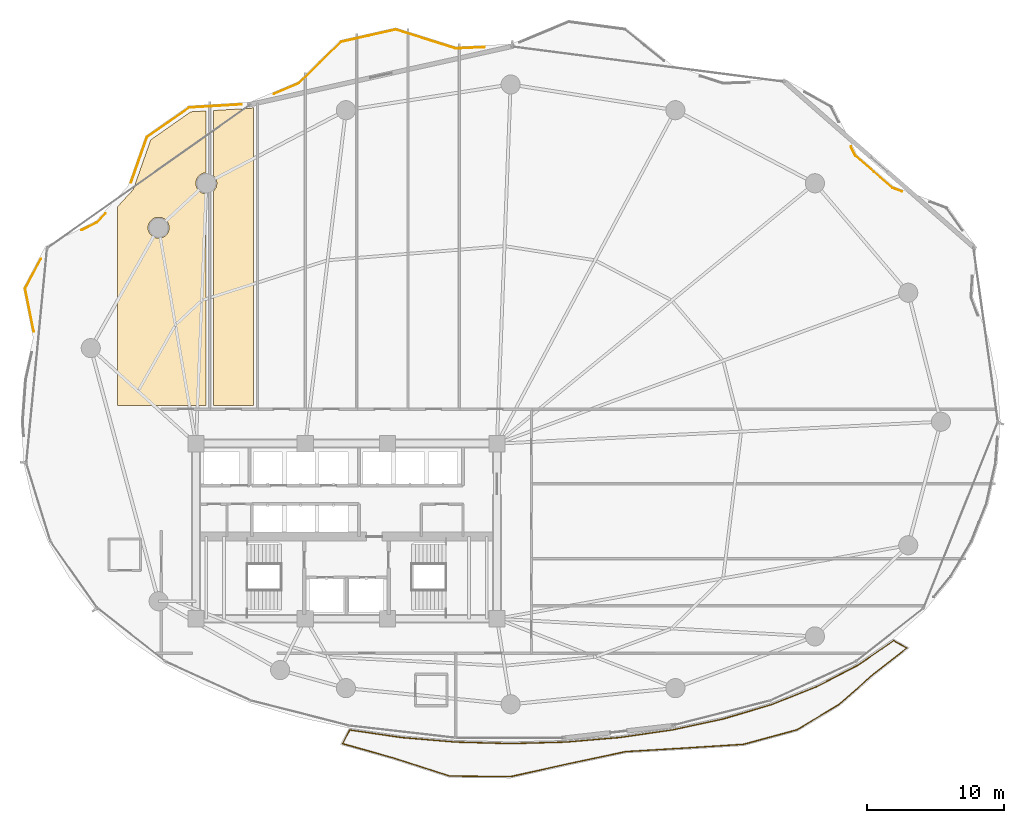
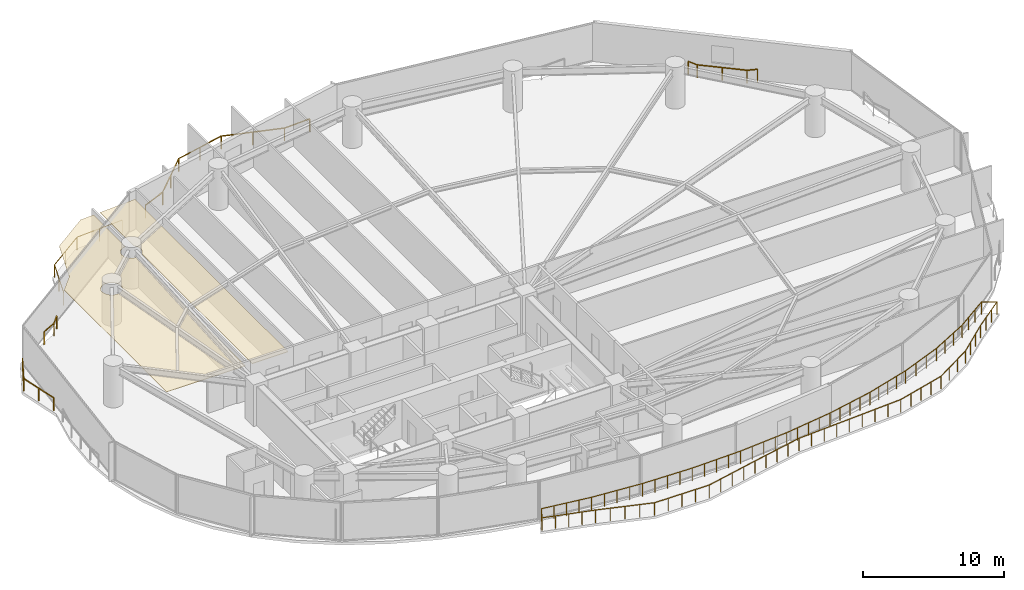
# One storey, part 30 of 31: 6 railings, 2 coverings.
"""IFC4 building model written with IfcOpenShell, lengths in metres."""

from ifc_helpers import new_model, si_unit, direction, frame, origin, origin_2d, place, context, subcontext, project, spatial, polyline, rectangle, outline, extrude, material, layer, layer_set, type_object, element, save


model = new_model("IFC4")

# Units and contexts
model_context = context("Model", 3, precision=1e-05, world=origin(), true_north=direction((0.0, 1.0)))
body_context = subcontext(model_context, "Body", "Model", "MODEL_VIEW")
ifc_project = project(units=[si_unit("LENGTHUNIT", "METRE"), si_unit("AREAUNIT", "SQUARE_METRE"), si_unit("VOLUMEUNIT", "CUBIC_METRE"), si_unit("PLANEANGLEUNIT", "RADIAN"), si_unit("MASSUNIT", "GRAM", prefix="KILO")], contexts=[model_context])

# Site, building, storey
site_placement = place(None, origin())
site = spatial("IfcSite", under=ifc_project, at=site_placement, CompositionType="ELEMENT")
building_placement = place(site_placement, origin())
building = spatial("IfcBuilding", under=site, at=building_placement, Name="Kazevale Care Tower and Concert Hall", CompositionType="ELEMENT")
storey_placement = place(building_placement, frame((0.0, 0.0, 56.39990234375)))
storey = spatial("IfcBuildingStorey", under=building, at=storey_placement, Name="L14", CompositionType="ELEMENT", Elevation=56.39990234375)

# Coverings
ifc_material_1 = material(Name="Acoustic Plaster and Hinoki Wood", Category="wood")
ifc_layer = layer(ifc_material_1, 0.0400390625)
ifc_layer_set = layer_set([ifc_layer], Name="Acoustic Plaster and Hinoki Wood")
covering_type = type_object("IfcCoveringType", Name="Acoustic Perforated Wood-Gypsum Ceiling", PredefinedType="CEILING", material=ifc_layer_set)
covering_1_placement = place(storey_placement, frame((0.0, 0.0, 2.710205078125)))
element("IfcCovering", 1, at=covering_1_placement, inside=storey, type_object=covering_type, Name="clg:L14:1", PredefinedType="CEILING", context=body_context, shape_type="SweptSolid", body=[
    extrude(outline(polyline([(22.719970703125, 60.717041015625), (22.719970703125, 56.2060546875), (22.4619140625, 56.15087890625), (22.2080078125, 55.98193359375), (22.0390625, 55.72802734375), (21.97998046875, 55.429931640625), (22.0390625, 55.132080078125), (22.2080078125, 54.8779296875), (22.4619140625, 54.708984375), (22.719970703125, 54.654052734375), (22.719970703125, 39.205078125), (16.280029296875, 39.205078125), (16.280029296875, 53.735107421875), (17.4130859375, 54.966064453125), (18.69189453125, 58.60302734375), (21.6201171875, 60.652099609375), (22.719970703125, 60.717041015625)]), holes=[polyline([(20.034912109375, 52.33203125), (19.9189453125, 52.613037109375), (19.702880859375, 52.8291015625), (19.422119140625, 52.945068359375), (19.117919921875, 52.945068359375), (18.8369140625, 52.8291015625), (18.62109375, 52.613037109375), (18.5048828125, 52.33203125), (18.5048828125, 52.028076171875), (18.62109375, 51.7470703125), (18.8369140625, 51.531005859375), (19.117919921875, 51.4150390625), (19.422119140625, 51.4150390625), (19.702880859375, 51.531005859375), (19.9189453125, 51.7470703125), (20.034912109375, 52.028076171875), (20.034912109375, 52.33203125)])]), origin(), (0.0, 0.0, 1.0), 0.039794921875),
])
covering_2_placement = place(storey_placement, frame((0.0, 0.0, 2.710205078125)))
element("IfcCovering", 2, at=covering_2_placement, inside=storey, type_object=covering_type, Name="clg:L14:2", PredefinedType="CEILING", context=body_context, shape_type="SweptSolid", body=[
    extrude(outline(polyline([(23.280029296875, 54.85302734375), (23.48095703125, 55.132080078125), (23.5400390625, 55.429931640625), (23.48095703125, 55.72802734375), (23.280029296875, 56.007080078125), (23.280029296875, 60.75), (26.06005859375, 60.9150390625), (26.219970703125, 60.98291015625), (26.219970703125, 39.205078125), (23.280029296875, 39.205078125), (23.280029296875, 54.85302734375)])), origin(), (0.0, 0.0, 1.0), 0.039794921875),
])

# Railings
ifc_material_2 = material(Name="Anodised Bronze Aluminium and Laminated Glass", Category="aluminium")
railing_type = type_object("IfcRailingType", Name="Balcony and Terrace Balustrade 1120", PredefinedType="BALUSTRADE", material=ifc_material_2)
railing_1_placement = place(storey_placement, frame((10.15087890625, 44.5859375, 0.0)))
element("IfcRailing", 3, at=railing_1_placement, inside=storey, type_object=railing_type, Name="rail:L14:perim:2", PredefinedType="BALUSTRADE", context=body_context, shape_type="SweptSolid", body=[
    extrude(rectangle(XDim=0.048095703125, YDim=0.048095703125, at=origin_2d()), frame((0.0, 0.0, 1.09619140625), z_axis=(-0.197415517723, 0.980319903584, 0.0), x_axis=(-0.980319903584, -0.197415517723, 0.0)), (0.0, 0.0, 1.0), 3.21533203125),
    extrude(rectangle(XDim=0.048095703125, YDim=0.048095703125, at=origin_2d()), frame((-0.634765625, 3.152099609375, 1.09619140625), z_axis=(0.467294009077, 0.884101978892, 0.0), x_axis=(-0.884101978892, 0.467294009077, 0.0)), (0.0, 0.0, 1.0), 2.45654296875),
    extrude(rectangle(XDim=0.0419921875, YDim=0.0419921875, at=origin_2d()), origin(), (0.0, 0.0, 1.0), 1.072021484375),
    extrude(rectangle(XDim=0.0419921875, YDim=0.0419921875, at=origin_2d()), frame((-0.3173828125, 1.576171875, 0.0)), (0.0, 0.0, 1.0), 1.072021484375),
    extrude(rectangle(XDim=0.0419921875, YDim=0.0419921875, at=origin_2d()), frame((-0.634765625, 3.152099609375, 0.0)), (0.0, 0.0, 1.0), 1.072021484375),
    extrude(rectangle(XDim=0.0419921875, YDim=0.0419921875, at=origin_2d()), frame((-0.060791015625, 4.238037109375, 0.0)), (0.0, 0.0, 1.0), 1.072021484375),
    extrude(rectangle(XDim=0.0419921875, YDim=0.0419921875, at=origin_2d()), frame((0.51318359375, 5.323974609375, 0.0)), (0.0, 0.0, 1.0), 1.072021484375),
])
railing_2_placement = place(storey_placement, frame((13.639892578125, 52.0, 0.0)))
element("IfcRailing", 4, at=railing_2_placement, inside=storey, type_object=railing_type, Name="rail:L14:perim:3", PredefinedType="BALUSTRADE", context=body_context, shape_type="SweptSolid", body=[
    extrude(rectangle(XDim=0.048095703125, YDim=0.048095703125, at=origin_2d()), frame((0.0, 0.0, 1.09619140625), z_axis=(0.892998785329, 0.450059073235, 0.0), x_axis=(-0.450059073235, 0.892998785329, 0.0)), (0.0, 0.0, 1.0), 1.268798828125),
    extrude(rectangle(XDim=0.048095703125, YDim=0.048095703125, at=origin_2d()), frame((1.133056640625, 0.571044921875, 1.09619140625), z_axis=(0.677347108978, 0.735663573898, 0.0), x_axis=(-0.735663573898, 0.677347108978, 0.0)), (0.0, 0.0, 1.0), 0.8916015625),
    extrude(rectangle(XDim=0.0419921875, YDim=0.0419921875, at=origin_2d()), origin(), (0.0, 0.0, 1.0), 1.072021484375),
    extrude(rectangle(XDim=0.0419921875, YDim=0.0419921875, at=origin_2d()), frame((1.133056640625, 0.571044921875, 0.0)), (0.0, 0.0, 1.0), 1.072021484375),
    extrude(rectangle(XDim=0.0419921875, YDim=0.0419921875, at=origin_2d()), frame((1.737060546875, 1.22705078125, 0.0)), (0.0, 0.0, 1.0), 1.072021484375),
])
railing_3_placement = place(storey_placement, frame((17.256103515625, 55.485107421875, 0.0)))
element("IfcRailing", 5, at=railing_3_placement, inside=storey, type_object=railing_type, Name="rail:L14:perim:4", PredefinedType="BALUSTRADE", context=body_context, shape_type="SweptSolid", body=[
    extrude(rectangle(XDim=0.048095703125, YDim=0.048095703125, at=origin_2d()), frame((0.0, 0.0, 1.09619140625), z_axis=(0.331789638428, 0.943353399226, 0.0), x_axis=(-0.943353399226, 0.331789638428, 0.0)), (0.0, 0.0, 1.0), 3.520263671875),
    extrude(rectangle(XDim=0.048095703125, YDim=0.048095703125, at=origin_2d()), frame((1.16796875, 3.32080078125, 1.09619140625), z_axis=(0.819317150276, 0.573340568304, 0.0), x_axis=(-0.573340568304, 0.819317150276, 0.0)), (0.0, 0.0, 1.0), 3.767578125),
    extrude(rectangle(XDim=0.048095703125, YDim=0.048095703125, at=origin_2d()), frame((4.2548828125, 5.48095703125, 1.09619140625), z_axis=(0.998243706138, 0.05924105971, 0.0), x_axis=(-0.05924105971, 0.998243706138, 0.0)), (0.0, 0.0, 1.0), 3.832763671875),
    extrude(rectangle(XDim=0.0419921875, YDim=0.0419921875, at=origin_2d()), origin(), (0.0, 0.0, 1.0), 1.072021484375),
    extrude(rectangle(XDim=0.0419921875, YDim=0.0419921875, at=origin_2d()), frame((0.583984375, 1.660400390625, 0.0)), (0.0, 0.0, 1.0), 1.072021484375),
    extrude(rectangle(XDim=0.0419921875, YDim=0.0419921875, at=origin_2d()), frame((1.16796875, 3.32080078125, 0.0)), (0.0, 0.0, 1.0), 1.072021484375),
    extrude(rectangle(XDim=0.0419921875, YDim=0.0419921875, at=origin_2d()), frame((2.71142578125, 4.40087890625, 0.0)), (0.0, 0.0, 1.0), 1.072021484375),
    extrude(rectangle(XDim=0.0419921875, YDim=0.0419921875, at=origin_2d()), frame((4.2548828125, 5.48095703125, 0.0)), (0.0, 0.0, 1.0), 1.072021484375),
    extrude(rectangle(XDim=0.0419921875, YDim=0.0419921875, at=origin_2d()), frame((6.16796875, 5.594482421875, 0.0)), (0.0, 0.0, 1.0), 1.072021484375),
    extrude(rectangle(XDim=0.0419921875, YDim=0.0419921875, at=origin_2d()), frame((8.080810546875, 5.7080078125, 0.0)), (0.0, 0.0, 1.0), 1.072021484375),
])
railing_4_placement = place(storey_placement, frame((27.69091796875, 61.9580078125, 0.0)))
element("IfcRailing", 6, at=railing_4_placement, inside=storey, type_object=railing_type, Name="rail:L14:perim:5", PredefinedType="BALUSTRADE", context=body_context, shape_type="SweptSolid", body=[
    extrude(rectangle(XDim=0.048095703125, YDim=0.048095703125, at=origin_2d()), frame((0.0, 0.0, 1.09619140625), z_axis=(0.920032063091, 0.391843084517, 0.0), x_axis=(-0.391843084517, 0.920032063091, 0.0)), (0.0, 0.0, 1.0), 2.01611328125),
    extrude(rectangle(XDim=0.048095703125, YDim=0.048095703125, at=origin_2d()), frame((1.85498046875, 0.7900390625, 1.09619140625), z_axis=(0.711782228396, 0.702400213083, 0.0), x_axis=(-0.702400213083, 0.711782228396, 0.0)), (0.0, 0.0, 1.0), 4.293701171875),
    extrude(rectangle(XDim=0.048095703125, YDim=0.048095703125, at=origin_2d()), frame((4.9111328125, 3.805908203125, 1.09619140625), z_axis=(0.975507116128, 0.219967875798, 0.0), x_axis=(-0.219967875798, 0.975507116128, 0.0)), (0.0, 0.0, 1.0), 4.09228515625),
    extrude(rectangle(XDim=0.048095703125, YDim=0.048095703125, at=origin_2d()), frame((8.903076171875, 4.7060546875, 1.09619140625), z_axis=(0.953872379176, -0.300212398553, 0.0), x_axis=(0.300212398553, 0.953872379176, 0.0)), (0.0, 0.0, 1.0), 4.590576171875),
    extrude(rectangle(XDim=0.048095703125, YDim=0.048095703125, at=origin_2d()), frame((13.281982421875, 3.327880859375, 1.09619140625), z_axis=(0.999070924125, 0.043096270926, 0.0), x_axis=(-0.043096270926, 0.999070924125, 0.0)), (0.0, 0.0, 1.0), 2.113037109375),
    extrude(rectangle(XDim=0.0419921875, YDim=0.0419921875, at=origin_2d()), origin(), (0.0, 0.0, 1.0), 1.072021484375),
    extrude(rectangle(XDim=0.0419921875, YDim=0.0419921875, at=origin_2d()), frame((1.85498046875, 0.7900390625, 0.0)), (0.0, 0.0, 1.0), 1.072021484375),
    extrude(rectangle(XDim=0.0419921875, YDim=0.0419921875, at=origin_2d()), frame((3.383056640625, 2.2978515625, 0.0)), (0.0, 0.0, 1.0), 1.072021484375),
    extrude(rectangle(XDim=0.0419921875, YDim=0.0419921875, at=origin_2d()), frame((4.9111328125, 3.805908203125, 0.0)), (0.0, 0.0, 1.0), 1.072021484375),
    extrude(rectangle(XDim=0.0419921875, YDim=0.0419921875, at=origin_2d()), frame((6.9072265625, 4.255859375, 0.0)), (0.0, 0.0, 1.0), 1.072021484375),
    extrude(rectangle(XDim=0.0419921875, YDim=0.0419921875, at=origin_2d()), frame((8.903076171875, 4.7060546875, 0.0)), (0.0, 0.0, 1.0), 1.072021484375),
    extrude(rectangle(XDim=0.0419921875, YDim=0.0419921875, at=origin_2d()), frame((11.092529296875, 4.01708984375, 0.0)), (0.0, 0.0, 1.0), 1.072021484375),
    extrude(rectangle(XDim=0.0419921875, YDim=0.0419921875, at=origin_2d()), frame((13.281982421875, 3.327880859375, 0.0)), (0.0, 0.0, 1.0), 1.072021484375),
    extrude(rectangle(XDim=0.0419921875, YDim=0.0419921875, at=origin_2d()), frame((15.39306640625, 3.4189453125, 0.0)), (0.0, 0.0, 1.0), 1.072021484375),
])
railing_5_placement = place(storey_placement, frame((69.863037109375, 58.112060546875, 0.0)))
element("IfcRailing", 7, at=railing_5_placement, inside=storey, type_object=railing_type, Name="rail:L14:perim:9", PredefinedType="BALUSTRADE", context=body_context, shape_type="SweptSolid", body=[
    extrude(rectangle(XDim=0.048095703125, YDim=0.048095703125, at=origin_2d()), frame((0.0, 0.0, 1.09619140625), z_axis=(0.444393893797, -0.895831494845, 0.0), x_axis=(0.895831494845, 0.444393893797, 0.0)), (0.0, 0.0, 1.0), 0.762451171875),
    extrude(rectangle(XDim=0.048095703125, YDim=0.048095703125, at=origin_2d()), frame((0.3388671875, -0.68310546875, 1.09619140625), z_axis=(0.75707551803, -0.653327375823, 0.0), x_axis=(0.653327375823, 0.75707551803, 0.0)), (0.0, 0.0, 1.0), 3.586181640625),
    extrude(rectangle(XDim=0.048095703125, YDim=0.048095703125, at=origin_2d()), frame((3.053955078125, -3.026123046875, 1.09619140625), z_axis=(0.936649557244, -0.350267907344, 0.0), x_axis=(0.350267907344, 0.936649557244, 0.0)), (0.0, 0.0, 1.0), 0.750732421875),
    extrude(rectangle(XDim=0.0419921875, YDim=0.0419921875, at=origin_2d()), origin(), (0.0, 0.0, 1.0), 1.072021484375),
    extrude(rectangle(XDim=0.0419921875, YDim=0.0419921875, at=origin_2d()), frame((0.3388671875, -0.68310546875, 0.0)), (0.0, 0.0, 1.0), 1.072021484375),
    extrude(rectangle(XDim=0.0419921875, YDim=0.0419921875, at=origin_2d()), frame((1.6962890625, -1.8544921875, 0.0)), (0.0, 0.0, 1.0), 1.072021484375),
    extrude(rectangle(XDim=0.0419921875, YDim=0.0419921875, at=origin_2d()), frame((3.053955078125, -3.026123046875, 0.0)), (0.0, 0.0, 1.0), 1.072021484375),
    extrude(rectangle(XDim=0.0419921875, YDim=0.0419921875, at=origin_2d()), frame((3.757080078125, -3.2890625, 0.0)), (0.0, 0.0, 1.0), 1.072021484375),
])
railing_6_placement = place(storey_placement, frame((33.239990234375, 15.469970703125, 0.0)))
element("IfcRailing", 8, at=railing_6_placement, inside=storey, type_object=railing_type, Name="rail:L14:balcony", PredefinedType="BALUSTRADE", context=body_context, shape_type="SweptSolid", body=[
    extrude(rectangle(XDim=0.048095703125, YDim=0.048095703125, at=origin_2d()), frame((0.0, 0.0, 1.09619140625), z_axis=(0.98954153526, -0.144248223541, 0.0), x_axis=(0.144248223541, 0.98954153526, 0.0)), (0.0, 0.0, 1.0), 3.820068359375),
    extrude(rectangle(XDim=0.048095703125, YDim=0.048095703125, at=origin_2d()), frame((3.780029296875, -0.551025390625, 1.09619140625), z_axis=(0.996491809711, -0.083690341016, 0.0), x_axis=(0.083690341016, 0.996491809711, 0.0)), (0.0, 0.0, 1.0), 3.97900390625),
    extrude(rectangle(XDim=0.048095703125, YDim=0.048095703125, at=origin_2d()), frame((7.7451171875, -0.884033203125, 1.09619140625), z_axis=(0.999619139625, -0.027596660954, 0.0), x_axis=(0.027596660954, 0.999619139625, 0.0)), (0.0, 0.0, 1.0), 4.016357421875),
    extrude(rectangle(XDim=0.048095703125, YDim=0.048095703125, at=origin_2d()), frame((11.760009765625, -0.994873046875, 1.09619140625), z_axis=(0.999619139625, 0.027596660954, 0.0), x_axis=(-0.027596660954, 0.999619139625, 0.0)), (0.0, 0.0, 1.0), 4.016357421875),
    extrude(rectangle(XDim=0.048095703125, YDim=0.048095703125, at=origin_2d()), frame((15.77490234375, -0.884033203125, 1.09619140625), z_axis=(0.996491809711, 0.083690341016, 0.0), x_axis=(-0.083690341016, 0.996491809711, 0.0)), (0.0, 0.0, 1.0), 3.97900390625),
    extrude(rectangle(XDim=0.048095703125, YDim=0.048095703125, at=origin_2d()), frame((19.739990234375, -0.551025390625, 1.09619140625), z_axis=(0.989562148583, 0.144106745477, 0.0), x_axis=(-0.144106745477, 0.989562148583, 0.0)), (0.0, 0.0, 1.0), 3.90673828125),
    extrude(rectangle(XDim=0.048095703125, YDim=0.048095703125, at=origin_2d()), frame((23.60595703125, 0.011962890625, 1.09619140625), z_axis=(0.977622623243, 0.210366362622, 0.0), x_axis=(-0.210366362622, 0.977622623243, 0.0)), (0.0, 0.0, 1.0), 3.80322265625),
    extrude(rectangle(XDim=0.048095703125, YDim=0.048095703125, at=origin_2d()), frame((27.323974609375, 0.81201171875, 1.09619140625), z_axis=(0.958576059845, 0.28483668565, 0.0), x_axis=(-0.28483668565, 0.958576059845, 0.0)), (0.0, 0.0, 1.0), 3.67626953125),
    extrude(rectangle(XDim=0.048095703125, YDim=0.048095703125, at=origin_2d()), frame((30.847900390625, 1.859130859375, 1.09619140625), z_axis=(0.929364745906, 0.369162794803, 0.0), x_axis=(-0.369162794803, 0.929364745906, 0.0)), (0.0, 0.0, 1.0), 3.534912109375),
    extrude(rectangle(XDim=0.048095703125, YDim=0.048095703125, at=origin_2d()), frame((34.133056640625, 3.1640625, 1.09619140625), z_axis=(0.886249621896, 0.463207952965, 0.0), x_axis=(-0.463207952965, 0.886249621896, 0.0)), (0.0, 0.0, 1.0), 3.3916015625),
    extrude(rectangle(XDim=0.048095703125, YDim=0.048095703125, at=origin_2d()), frame((37.138916015625, 4.735107421875, 1.09619140625), z_axis=(0.825224295989, 0.564805153402, 0.0), x_axis=(-0.564805153402, 0.825224295989, 0.0)), (0.0, 0.0, 1.0), 3.17626953125),
    extrude(rectangle(XDim=0.048095703125, YDim=0.048095703125, at=origin_2d()), frame((39.760009765625, 6.529052734375, 1.09619140625), z_axis=(0.870159360676, -0.492770420203, 0.0), x_axis=(0.492770420203, 0.870159360676, 0.0)), (0.0, 0.0, 1.0), 1.093994140625),
    extrude(rectangle(XDim=0.048095703125, YDim=0.048095703125, at=origin_2d()), frame((40.7119140625, 5.989990234375, 1.09619140625), z_axis=(-0.785735455987, -0.618562683328, 0.0), x_axis=(0.618562683328, -0.785735455987, 0.0)), (0.0, 0.0, 1.0), 3.126708984375),
    extrude(rectangle(XDim=0.048095703125, YDim=0.048095703125, at=origin_2d()), frame((38.255126953125, 4.055908203125, 1.09619140625), z_axis=(-0.751427777247, -0.65981534961, 0.0), x_axis=(0.65981534961, -0.751427777247, 0.0)), (0.0, 0.0, 1.0), 3.320556640625),
    extrude(rectangle(XDim=0.048095703125, YDim=0.048095703125, at=origin_2d()), frame((35.760009765625, 1.864990234375, 1.09619140625), z_axis=(-0.856766273863, -0.515704907841, 0.0), x_axis=(0.515704907841, -0.856766273863, 0.0)), (0.0, 0.0, 1.0), 3.59130859375),
    extrude(rectangle(XDim=0.048095703125, YDim=0.048095703125, at=origin_2d()), frame((32.68310546875, 0.012939453125, 1.09619140625), z_axis=(-0.965005969674, -0.262227913262, 0.0), x_axis=(0.262227913262, -0.965005969674, 0.0)), (0.0, 0.0, 1.0), 4.04150390625),
    extrude(rectangle(XDim=0.048095703125, YDim=0.048095703125, at=origin_2d()), frame((28.782958984375, -1.046875, 1.09619140625), z_axis=(-0.997983454287, -0.063474600985, 0.0), x_axis=(0.063474600985, -0.997983454287, 0.0)), (0.0, 0.0, 1.0), 4.380859375),
    extrude(rectangle(XDim=0.048095703125, YDim=0.048095703125, at=origin_2d()), frame((24.410888671875, -1.324951171875, 1.09619140625), z_axis=(-0.998168391901, -0.060496788431, 0.0), x_axis=(0.060496788431, -0.998168391901, 0.0)), (0.0, 0.0, 1.0), 4.265625),
    extrude(rectangle(XDim=0.048095703125, YDim=0.048095703125, at=origin_2d()), frame((20.153076171875, -1.5830078125, 1.09619140625), z_axis=(-0.978159147113, -0.207857361954, 0.0), x_axis=(0.207857361954, -0.978159147113, 0.0)), (0.0, 0.0, 1.0), 4.189697265625),
    extrude(rectangle(XDim=0.048095703125, YDim=0.048095703125, at=origin_2d()), frame((16.054931640625, -2.453857421875, 1.09619140625), z_axis=(-0.976246906453, -0.216660973968, 0.0), x_axis=(0.216660973968, -0.976246906453, 0.0)), (0.0, 0.0, 1.0), 4.41259765625),
    extrude(rectangle(XDim=0.048095703125, YDim=0.048095703125, at=origin_2d()), frame((11.7470703125, -3.409912109375, 1.09619140625), z_axis=(-0.999953281583, 0.009666160134, 0.0), x_axis=(-0.009666160134, -0.999953281583, 0.0)), (0.0, 0.0, 1.0), 4.4453125),
    extrude(rectangle(XDim=0.048095703125, YDim=0.048095703125, at=origin_2d()), frame((7.302001953125, -3.366943359375, 1.09619140625), z_axis=(-0.951876057109, 0.306483232661, 0.0), x_axis=(-0.306483232661, -0.951876057109, 0.0)), (0.0, 0.0, 1.0), 4.283935546875),
    extrude(rectangle(XDim=0.048095703125, YDim=0.048095703125, at=origin_2d()), frame((3.22412109375, -2.053955078125, 1.09619140625), z_axis=(-0.962592237847, 0.270954209482, 0.0), x_axis=(-0.270954209482, -0.962592237847, 0.0)), (0.0, 0.0, 1.0), 3.89697265625),
    extrude(rectangle(XDim=0.048095703125, YDim=0.048095703125, at=origin_2d()), frame((-0.527099609375, -0.998046875, 1.09619140625), z_axis=(0.467002973118, 0.884255745302, 0.0), x_axis=(-0.884255745302, 0.467002973118, 0.0)), (0.0, 0.0, 1.0), 1.128662109375),
    extrude(rectangle(XDim=0.0419921875, YDim=0.0419921875, at=origin_2d()), origin(), (0.0, 0.0, 1.0), 1.072021484375),
    extrude(rectangle(XDim=0.0419921875, YDim=0.0419921875, at=origin_2d()), frame((0.945068359375, -0.1376953125, 0.0)), (0.0, 0.0, 1.0), 1.072021484375),
    extrude(rectangle(XDim=0.0419921875, YDim=0.0419921875, at=origin_2d()), frame((1.89013671875, -0.275390625, 0.0)), (0.0, 0.0, 1.0), 1.072021484375),
    extrude(rectangle(XDim=0.0419921875, YDim=0.0419921875, at=origin_2d()), frame((2.8349609375, -0.413330078125, 0.0)), (0.0, 0.0, 1.0), 1.072021484375),
    extrude(rectangle(XDim=0.0419921875, YDim=0.0419921875, at=origin_2d()), frame((3.780029296875, -0.551025390625, 0.0)), (0.0, 0.0, 1.0), 1.072021484375),
    extrude(rectangle(XDim=0.0419921875, YDim=0.0419921875, at=origin_2d()), frame((4.771240234375, -0.63427734375, 0.0)), (0.0, 0.0, 1.0), 1.072021484375),
    extrude(rectangle(XDim=0.0419921875, YDim=0.0419921875, at=origin_2d()), frame((5.7626953125, -0.717529296875, 0.0)), (0.0, 0.0, 1.0), 1.072021484375),
    extrude(rectangle(XDim=0.0419921875, YDim=0.0419921875, at=origin_2d()), frame((6.75390625, -0.80078125, 0.0)), (0.0, 0.0, 1.0), 1.072021484375),
    extrude(rectangle(XDim=0.0419921875, YDim=0.0419921875, at=origin_2d()), frame((7.7451171875, -0.884033203125, 0.0)), (0.0, 0.0, 1.0), 1.072021484375),
    extrude(rectangle(XDim=0.0419921875, YDim=0.0419921875, at=origin_2d()), frame((8.748779296875, -0.91162109375, 0.0)), (0.0, 0.0, 1.0), 1.072021484375),
    extrude(rectangle(XDim=0.0419921875, YDim=0.0419921875, at=origin_2d()), frame((9.75244140625, -0.939453125, 0.0)), (0.0, 0.0, 1.0), 1.072021484375),
    extrude(rectangle(XDim=0.0419921875, YDim=0.0419921875, at=origin_2d()), frame((10.75634765625, -0.96728515625, 0.0)), (0.0, 0.0, 1.0), 1.072021484375),
    extrude(rectangle(XDim=0.0419921875, YDim=0.0419921875, at=origin_2d()), frame((11.760009765625, -0.994873046875, 0.0)), (0.0, 0.0, 1.0), 1.072021484375),
    extrude(rectangle(XDim=0.0419921875, YDim=0.0419921875, at=origin_2d()), frame((12.763671875, -0.96728515625, 0.0)), (0.0, 0.0, 1.0), 1.072021484375),
    extrude(rectangle(XDim=0.0419921875, YDim=0.0419921875, at=origin_2d()), frame((13.767578125, -0.939453125, 0.0)), (0.0, 0.0, 1.0), 1.072021484375),
    extrude(rectangle(XDim=0.0419921875, YDim=0.0419921875, at=origin_2d()), frame((14.771240234375, -0.91162109375, 0.0)), (0.0, 0.0, 1.0), 1.072021484375),
    extrude(rectangle(XDim=0.0419921875, YDim=0.0419921875, at=origin_2d()), frame((15.77490234375, -0.884033203125, 0.0)), (0.0, 0.0, 1.0), 1.072021484375),
    extrude(rectangle(XDim=0.0419921875, YDim=0.0419921875, at=origin_2d()), frame((16.76611328125, -0.80078125, 0.0)), (0.0, 0.0, 1.0), 1.072021484375),
    extrude(rectangle(XDim=0.0419921875, YDim=0.0419921875, at=origin_2d()), frame((17.75732421875, -0.717529296875, 0.0)), (0.0, 0.0, 1.0), 1.072021484375),
    extrude(rectangle(XDim=0.0419921875, YDim=0.0419921875, at=origin_2d()), frame((18.748779296875, -0.63427734375, 0.0)), (0.0, 0.0, 1.0), 1.072021484375),
    extrude(rectangle(XDim=0.0419921875, YDim=0.0419921875, at=origin_2d()), frame((19.739990234375, -0.551025390625, 0.0)), (0.0, 0.0, 1.0), 1.072021484375),
    extrude(rectangle(XDim=0.0419921875, YDim=0.0419921875, at=origin_2d()), frame((20.70654296875, -0.41015625, 0.0)), (0.0, 0.0, 1.0), 1.072021484375),
    extrude(rectangle(XDim=0.0419921875, YDim=0.0419921875, at=origin_2d()), frame((21.6728515625, -0.26953125, 0.0)), (0.0, 0.0, 1.0), 1.072021484375),
    extrude(rectangle(XDim=0.0419921875, YDim=0.0419921875, at=origin_2d()), frame((22.639404296875, -0.12890625, 0.0)), (0.0, 0.0, 1.0), 1.072021484375),
    extrude(rectangle(XDim=0.0419921875, YDim=0.0419921875, at=origin_2d()), frame((23.60595703125, 0.011962890625, 0.0)), (0.0, 0.0, 1.0), 1.072021484375),
    extrude(rectangle(XDim=0.0419921875, YDim=0.0419921875, at=origin_2d()), frame((24.535400390625, 0.2119140625, 0.0)), (0.0, 0.0, 1.0), 1.072021484375),
    extrude(rectangle(XDim=0.0419921875, YDim=0.0419921875, at=origin_2d()), frame((25.46484375, 0.412109375, 0.0)), (0.0, 0.0, 1.0), 1.072021484375),
    extrude(rectangle(XDim=0.0419921875, YDim=0.0419921875, at=origin_2d()), frame((26.39453125, 0.612060546875, 0.0)), (0.0, 0.0, 1.0), 1.072021484375),
    extrude(rectangle(XDim=0.0419921875, YDim=0.0419921875, at=origin_2d()), frame((27.323974609375, 0.81201171875, 0.0)), (0.0, 0.0, 1.0), 1.072021484375),
    extrude(rectangle(XDim=0.0419921875, YDim=0.0419921875, at=origin_2d()), frame((28.205078125, 1.07373046875, 0.0)), (0.0, 0.0, 1.0), 1.072021484375),
    extrude(rectangle(XDim=0.0419921875, YDim=0.0419921875, at=origin_2d()), frame((29.0859375, 1.33544921875, 0.0)), (0.0, 0.0, 1.0), 1.072021484375),
    extrude(rectangle(XDim=0.0419921875, YDim=0.0419921875, at=origin_2d()), frame((29.966796875, 1.597412109375, 0.0)), (0.0, 0.0, 1.0), 1.072021484375),
    extrude(rectangle(XDim=0.0419921875, YDim=0.0419921875, at=origin_2d()), frame((30.847900390625, 1.859130859375, 0.0)), (0.0, 0.0, 1.0), 1.072021484375),
    extrude(rectangle(XDim=0.0419921875, YDim=0.0419921875, at=origin_2d()), frame((31.94287109375, 2.294189453125, 0.0)), (0.0, 0.0, 1.0), 1.072021484375),
    extrude(rectangle(XDim=0.0419921875, YDim=0.0419921875, at=origin_2d()), frame((33.0380859375, 2.72900390625, 0.0)), (0.0, 0.0, 1.0), 1.072021484375),
    extrude(rectangle(XDim=0.0419921875, YDim=0.0419921875, at=origin_2d()), frame((34.133056640625, 3.1640625, 0.0)), (0.0, 0.0, 1.0), 1.072021484375),
    extrude(rectangle(XDim=0.0419921875, YDim=0.0419921875, at=origin_2d()), frame((35.135009765625, 3.687744140625, 0.0)), (0.0, 0.0, 1.0), 1.072021484375),
    extrude(rectangle(XDim=0.0419921875, YDim=0.0419921875, at=origin_2d()), frame((36.136962890625, 4.21142578125, 0.0)), (0.0, 0.0, 1.0), 1.072021484375),
    extrude(rectangle(XDim=0.0419921875, YDim=0.0419921875, at=origin_2d()), frame((37.138916015625, 4.735107421875, 0.0)), (0.0, 0.0, 1.0), 1.072021484375),
    extrude(rectangle(XDim=0.0419921875, YDim=0.0419921875, at=origin_2d()), frame((38.0126953125, 5.3330078125, 0.0)), (0.0, 0.0, 1.0), 1.072021484375),
    extrude(rectangle(XDim=0.0419921875, YDim=0.0419921875, at=origin_2d()), frame((38.88623046875, 5.93115234375, 0.0)), (0.0, 0.0, 1.0), 1.072021484375),
    extrude(rectangle(XDim=0.0419921875, YDim=0.0419921875, at=origin_2d()), frame((39.760009765625, 6.529052734375, 0.0)), (0.0, 0.0, 1.0), 1.072021484375),
    extrude(rectangle(XDim=0.0419921875, YDim=0.0419921875, at=origin_2d()), frame((40.7119140625, 5.989990234375, 0.0)), (0.0, 0.0, 1.0), 1.072021484375),
    extrude(rectangle(XDim=0.0419921875, YDim=0.0419921875, at=origin_2d()), frame((39.89306640625, 5.34521484375, 0.0)), (0.0, 0.0, 1.0), 1.072021484375),
    extrude(rectangle(XDim=0.0419921875, YDim=0.0419921875, at=origin_2d()), frame((39.073974609375, 4.70068359375, 0.0)), (0.0, 0.0, 1.0), 1.072021484375),
    extrude(rectangle(XDim=0.0419921875, YDim=0.0419921875, at=origin_2d()), frame((38.255126953125, 4.055908203125, 0.0)), (0.0, 0.0, 1.0), 1.072021484375),
    extrude(rectangle(XDim=0.0419921875, YDim=0.0419921875, at=origin_2d()), frame((37.42333984375, 3.32568359375, 0.0)), (0.0, 0.0, 1.0), 1.072021484375),
    extrude(rectangle(XDim=0.0419921875, YDim=0.0419921875, at=origin_2d()), frame((36.591796875, 2.59521484375, 0.0)), (0.0, 0.0, 1.0), 1.072021484375),
    extrude(rectangle(XDim=0.0419921875, YDim=0.0419921875, at=origin_2d()), frame((35.760009765625, 1.864990234375, 0.0)), (0.0, 0.0, 1.0), 1.072021484375),
    extrude(rectangle(XDim=0.0419921875, YDim=0.0419921875, at=origin_2d()), frame((34.734375, 1.24755859375, 0.0)), (0.0, 0.0, 1.0), 1.072021484375),
    extrude(rectangle(XDim=0.0419921875, YDim=0.0419921875, at=origin_2d()), frame((33.708740234375, 0.63037109375, 0.0)), (0.0, 0.0, 1.0), 1.072021484375),
    extrude(rectangle(XDim=0.0419921875, YDim=0.0419921875, at=origin_2d()), frame((32.68310546875, 0.012939453125, 0.0)), (0.0, 0.0, 1.0), 1.072021484375),
    extrude(rectangle(XDim=0.0419921875, YDim=0.0419921875, at=origin_2d()), frame((31.7080078125, -0.251953125, 0.0)), (0.0, 0.0, 1.0), 1.072021484375),
    extrude(rectangle(XDim=0.0419921875, YDim=0.0419921875, at=origin_2d()), frame((30.73291015625, -0.51708984375, 0.0)), (0.0, 0.0, 1.0), 1.072021484375),
    extrude(rectangle(XDim=0.0419921875, YDim=0.0419921875, at=origin_2d()), frame((29.758056640625, -0.781982421875, 0.0)), (0.0, 0.0, 1.0), 1.072021484375),
    extrude(rectangle(XDim=0.0419921875, YDim=0.0419921875, at=origin_2d()), frame((28.782958984375, -1.046875, 0.0)), (0.0, 0.0, 1.0), 1.072021484375),
    extrude(rectangle(XDim=0.0419921875, YDim=0.0419921875, at=origin_2d()), frame((27.68994140625, -1.116455078125, 0.0)), (0.0, 0.0, 1.0), 1.072021484375),
    extrude(rectangle(XDim=0.0419921875, YDim=0.0419921875, at=origin_2d()), frame((26.596923828125, -1.18603515625, 0.0)), (0.0, 0.0, 1.0), 1.072021484375),
    extrude(rectangle(XDim=0.0419921875, YDim=0.0419921875, at=origin_2d()), frame((25.50390625, -1.25537109375, 0.0)), (0.0, 0.0, 1.0), 1.072021484375),
    extrude(rectangle(XDim=0.0419921875, YDim=0.0419921875, at=origin_2d()), frame((24.410888671875, -1.324951171875, 0.0)), (0.0, 0.0, 1.0), 1.072021484375),
    extrude(rectangle(XDim=0.0419921875, YDim=0.0419921875, at=origin_2d()), frame((23.346435546875, -1.389404296875, 0.0)), (0.0, 0.0, 1.0), 1.072021484375),
    extrude(rectangle(XDim=0.0419921875, YDim=0.0419921875, at=origin_2d()), frame((22.281982421875, -1.4541015625, 0.0)), (0.0, 0.0, 1.0), 1.072021484375),
    extrude(rectangle(XDim=0.0419921875, YDim=0.0419921875, at=origin_2d()), frame((21.217529296875, -1.5185546875, 0.0)), (0.0, 0.0, 1.0), 1.072021484375),
    extrude(rectangle(XDim=0.0419921875, YDim=0.0419921875, at=origin_2d()), frame((20.153076171875, -1.5830078125, 0.0)), (0.0, 0.0, 1.0), 1.072021484375),
    extrude(rectangle(XDim=0.0419921875, YDim=0.0419921875, at=origin_2d()), frame((19.12841796875, -1.80078125, 0.0)), (0.0, 0.0, 1.0), 1.072021484375),
    extrude(rectangle(XDim=0.0419921875, YDim=0.0419921875, at=origin_2d()), frame((18.10400390625, -2.0185546875, 0.0)), (0.0, 0.0, 1.0), 1.072021484375),
    extrude(rectangle(XDim=0.0419921875, YDim=0.0419921875, at=origin_2d()), frame((17.07958984375, -2.236083984375, 0.0)), (0.0, 0.0, 1.0), 1.072021484375),
    extrude(rectangle(XDim=0.0419921875, YDim=0.0419921875, at=origin_2d()), frame((16.054931640625, -2.453857421875, 0.0)), (0.0, 0.0, 1.0), 1.072021484375),
    extrude(rectangle(XDim=0.0419921875, YDim=0.0419921875, at=origin_2d()), frame((14.97802734375, -2.69287109375, 0.0)), (0.0, 0.0, 1.0), 1.072021484375),
    extrude(rectangle(XDim=0.0419921875, YDim=0.0419921875, at=origin_2d()), frame((13.90087890625, -2.931884765625, 0.0)), (0.0, 0.0, 1.0), 1.072021484375),
    extrude(rectangle(XDim=0.0419921875, YDim=0.0419921875, at=origin_2d()), frame((12.823974609375, -3.1708984375, 0.0)), (0.0, 0.0, 1.0), 1.072021484375),
    extrude(rectangle(XDim=0.0419921875, YDim=0.0419921875, at=origin_2d()), frame((11.7470703125, -3.409912109375, 0.0)), (0.0, 0.0, 1.0), 1.072021484375),
    extrude(rectangle(XDim=0.0419921875, YDim=0.0419921875, at=origin_2d()), frame((10.6357421875, -3.399169921875, 0.0)), (0.0, 0.0, 1.0), 1.072021484375),
    extrude(rectangle(XDim=0.0419921875, YDim=0.0419921875, at=origin_2d()), frame((9.5244140625, -3.388427734375, 0.0)), (0.0, 0.0, 1.0), 1.072021484375),
    extrude(rectangle(XDim=0.0419921875, YDim=0.0419921875, at=origin_2d()), frame((8.413330078125, -3.377685546875, 0.0)), (0.0, 0.0, 1.0), 1.072021484375),
    extrude(rectangle(XDim=0.0419921875, YDim=0.0419921875, at=origin_2d()), frame((7.302001953125, -3.366943359375, 0.0)), (0.0, 0.0, 1.0), 1.072021484375),
    extrude(rectangle(XDim=0.0419921875, YDim=0.0419921875, at=origin_2d()), frame((6.282470703125, -3.03857421875, 0.0)), (0.0, 0.0, 1.0), 1.072021484375),
    extrude(rectangle(XDim=0.0419921875, YDim=0.0419921875, at=origin_2d()), frame((5.26318359375, -2.71044921875, 0.0)), (0.0, 0.0, 1.0), 1.072021484375),
    extrude(rectangle(XDim=0.0419921875, YDim=0.0419921875, at=origin_2d()), frame((4.24365234375, -2.38232421875, 0.0)), (0.0, 0.0, 1.0), 1.072021484375),
    extrude(rectangle(XDim=0.0419921875, YDim=0.0419921875, at=origin_2d()), frame((3.22412109375, -2.053955078125, 0.0)), (0.0, 0.0, 1.0), 1.072021484375),
    extrude(rectangle(XDim=0.0419921875, YDim=0.0419921875, at=origin_2d()), frame((2.286376953125, -1.7900390625, 0.0)), (0.0, 0.0, 1.0), 1.072021484375),
    extrude(rectangle(XDim=0.0419921875, YDim=0.0419921875, at=origin_2d()), frame((1.3486328125, -1.52587890625, 0.0)), (0.0, 0.0, 1.0), 1.072021484375),
    extrude(rectangle(XDim=0.0419921875, YDim=0.0419921875, at=origin_2d()), frame((0.41064453125, -1.261962890625, 0.0)), (0.0, 0.0, 1.0), 1.072021484375),
    extrude(rectangle(XDim=0.0419921875, YDim=0.0419921875, at=origin_2d()), frame((-0.527099609375, -0.998046875, 0.0)), (0.0, 0.0, 1.0), 1.072021484375),
])

save(model, "model.ifc")
